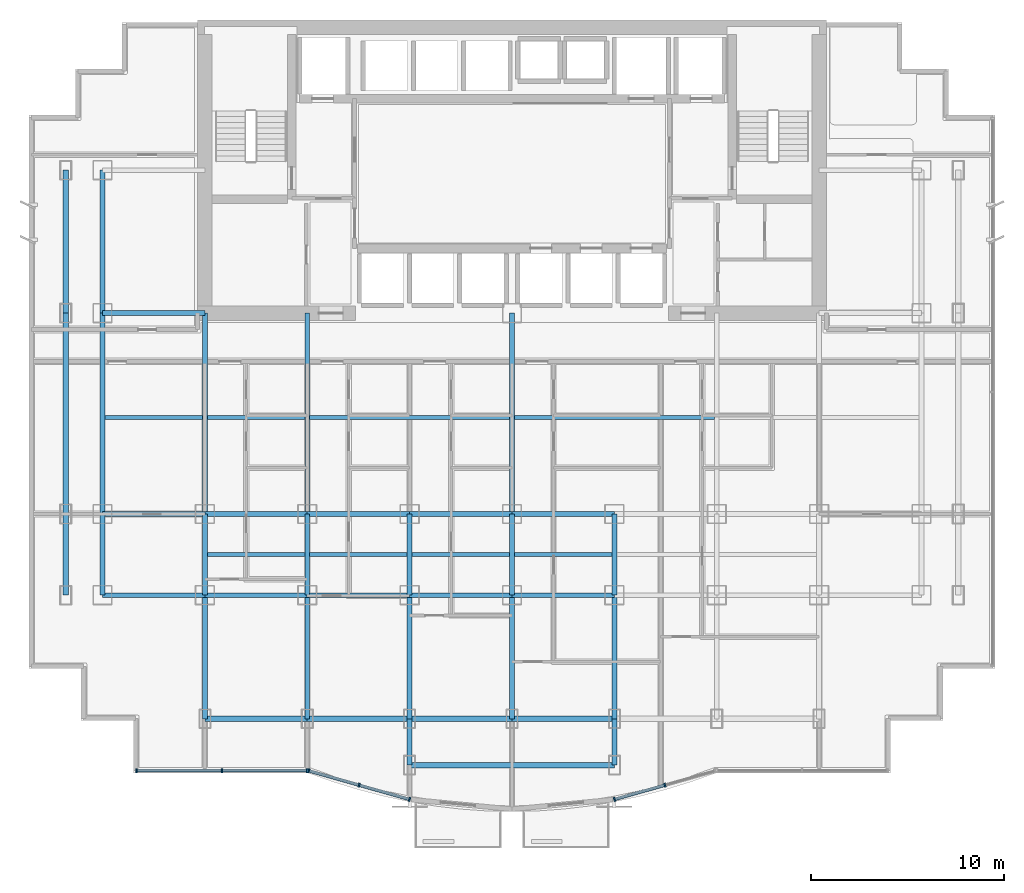
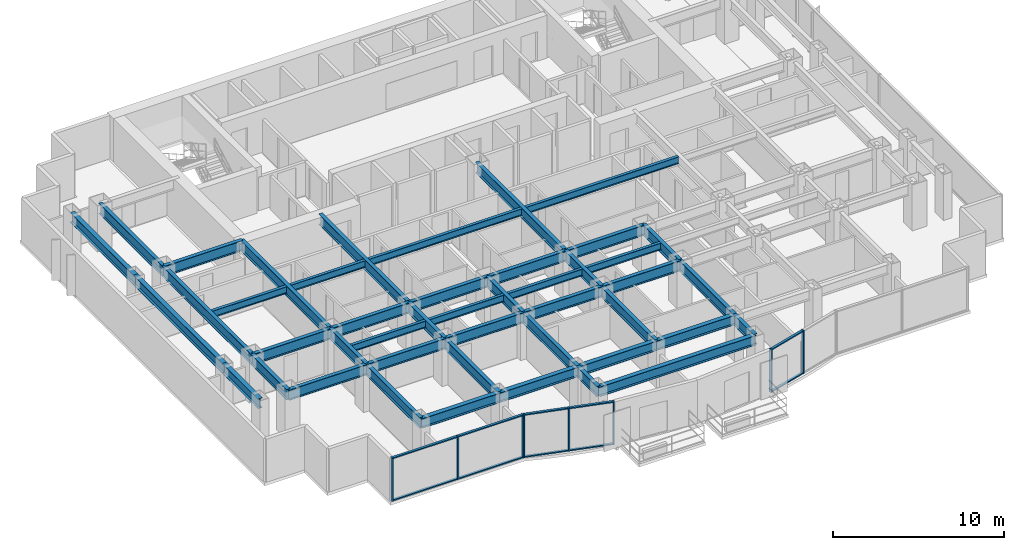
# One storey, part 2 of 12: 45 beams, 18 members, 3 elements without a shape of their own.
"""IFC4 building model written with IfcOpenShell, lengths in metres."""

from ifc_helpers import new_model, si_unit, direction, frame, origin, origin_2d, place, context, subcontext, project, spatial, rectangle, i_section, extrude, source, transform, mapped, material, layer, layer_set, material_profile, profile_set, type_object, element, aggregate, save


model = new_model("IFC4")

# Units and contexts
model_context = context("Model", 3, precision=1e-05, world=origin(), true_north=direction((0.0, 1.0)))
body_context = subcontext(model_context, "Body", "Model", "MODEL_VIEW")
ifc_project = project(units=[si_unit("LENGTHUNIT", "METRE"), si_unit("AREAUNIT", "SQUARE_METRE"), si_unit("VOLUMEUNIT", "CUBIC_METRE"), si_unit("PLANEANGLEUNIT", "RADIAN"), si_unit("MASSUNIT", "GRAM", prefix="KILO")], contexts=[model_context])

# Site, building, storey
site_placement = place(None, origin())
site = spatial("IfcSite", under=ifc_project, at=site_placement, CompositionType="ELEMENT")
building_placement = place(site_placement, origin())
building = spatial("IfcBuilding", under=site, at=building_placement, Name="Qianlan Lanfeng Residences", CompositionType="ELEMENT")
storey_placement = place(building_placement, frame((0.0, 0.0, 81.699951171875)))
storey = spatial("IfcBuildingStorey", under=building, at=storey_placement, Name="L21", CompositionType="ELEMENT", Elevation=81.699951171875)

# Beams
ifc_material_1 = material(Name="Steel SN490B", Category="steel")
ifc_material_profile_1 = material_profile(ifc_material_1, i_section(OverallWidth=0.25, OverallDepth=0.75, WebThickness=0.013916015625, FlangeThickness=0.02490234375, at=origin_2d()), Name="H 750x250x14x25")
ifc_profile_set_1 = profile_set([ifc_material_profile_1], Name="Steel SN490B")
beam_type_1 = type_object("IfcBeamType", Name="G-850", PredefinedType="BEAM", material=ifc_profile_set_1)
beam_1_placement = place(storey_placement, frame((5.300048828125, 10.60009765625, 2.715087890625), z_axis=(1.0, 0.0, 0.0), x_axis=(0.0, 1.0, 0.0)))
element("IfcBeam", 1, at=beam_1_placement, inside=storey, type_object=beam_type_1, Name="Structural beam G-850", PredefinedType="BEAM", context=body_context, shape_type="SweptSolid", body=[
    extrude(i_section(OverallWidth=0.25, OverallDepth=0.75, WebThickness=0.013916015625, FlangeThickness=0.02490234375, at=origin_2d()), origin(), (0.0, 0.0, 1.0), 5.300048828125),
])
beam_2_placement = place(storey_placement, frame((10.60009765625, 10.60009765625, 2.715087890625), z_axis=(1.0, 0.0, 0.0), x_axis=(0.0, 1.0, 0.0)))
element("IfcBeam", 2, at=beam_2_placement, inside=storey, type_object=beam_type_1, Name="Structural beam G-850", PredefinedType="BEAM", context=body_context, shape_type="SweptSolid", body=[
    extrude(i_section(OverallWidth=0.25, OverallDepth=0.75, WebThickness=0.013916015625, FlangeThickness=0.02490234375, at=origin_2d()), origin(), (0.0, 0.0, 1.0), 5.2998046875),
])
for number, where, z_axis, x_axis, name in (
    (3, (15.89990234375, 10.60009765625, 2.715087890625), (1.0, 0.0, 0.0), (0.0, 1.0, 0.0), "Structural beam G-850"),
    (4, (21.199951171875, 10.60009765625, 2.715087890625), (1.0, 0.0, 0.0), (0.0, 1.0, 0.0), "Structural beam G-850"),
    (5, (26.5, 10.60009765625, 2.715087890625), (1.0, 0.0, 0.0), (0.0, 1.0, 0.0), "Structural beam G-850"),
    (6, (5.300048828125, 14.800048828125, 2.715087890625), (1.0, 0.0, 0.0), (0.0, 1.0, 0.0), "Structural beam G-850"),
):
    element("IfcBeam", number, at=place(storey_placement, frame(where, z_axis=z_axis, x_axis=x_axis)), inside=storey, type_object=beam_type_1, Name=name, PredefinedType="BEAM", context=body_context, shape_type="SweptSolid", body=[
        extrude(i_section(OverallWidth=0.25, OverallDepth=0.75, WebThickness=0.013916015625, FlangeThickness=0.02490234375, at=origin_2d()), origin(), (0.0, 0.0, 1.0), 5.300048828125),
    ])
beam_3_placement = place(storey_placement, frame((10.60009765625, 14.800048828125, 2.715087890625), z_axis=(1.0, 0.0, 0.0), x_axis=(0.0, 1.0, 0.0)))
element("IfcBeam", 7, at=beam_3_placement, inside=storey, type_object=beam_type_1, Name="Structural beam G-850", PredefinedType="BEAM", context=body_context, shape_type="SweptSolid", body=[
    extrude(i_section(OverallWidth=0.25, OverallDepth=0.75, WebThickness=0.013916015625, FlangeThickness=0.02490234375, at=origin_2d()), origin(), (0.0, 0.0, 1.0), 5.2998046875),
])
for number, where, z_axis, x_axis, name in (
    (8, (15.89990234375, 14.800048828125, 2.715087890625), (1.0, 0.0, 0.0), (0.0, 1.0, 0.0), "Structural beam G-850"),
    (9, (21.199951171875, 14.800048828125, 2.715087890625), (1.0, 0.0, 0.0), (0.0, 1.0, 0.0), "Structural beam G-850"),
    (10, (26.5, 14.800048828125, 2.715087890625), (1.0, 0.0, 0.0), (0.0, 1.0, 0.0), "Structural beam G-850"),
    (11, (5.300048828125, 25.199951171875, 2.715087890625), (1.0, 0.0, 0.0), (0.0, 1.0, 0.0), "Structural beam G-850"),
):
    element("IfcBeam", number, at=place(storey_placement, frame(where, z_axis=z_axis, x_axis=x_axis)), inside=storey, type_object=beam_type_1, Name=name, PredefinedType="BEAM", context=body_context, shape_type="SweptSolid", body=[
        extrude(i_section(OverallWidth=0.25, OverallDepth=0.75, WebThickness=0.013916015625, FlangeThickness=0.02490234375, at=origin_2d()), origin(), (0.0, 0.0, 1.0), 5.300048828125),
    ])
beam_4_placement = place(storey_placement, frame((5.300048828125, 10.60009765625, 2.715087890625), z_axis=(0.0, 1.0, 0.0), x_axis=(-1.0, 0.0, 0.0)))
element("IfcBeam", 12, at=beam_4_placement, inside=storey, type_object=beam_type_1, Name="Structural beam G-850", PredefinedType="BEAM", context=body_context, shape_type="SweptSolid", body=[
    extrude(i_section(OverallWidth=0.25, OverallDepth=0.75, WebThickness=0.013916015625, FlangeThickness=0.02490234375, at=origin_2d()), origin(), (0.0, 0.0, 1.0), 4.199951171875),
])
beam_5_placement = place(storey_placement, frame((5.300048828125, 14.800048828125, 2.715087890625), z_axis=(0.0, 1.0, 0.0), x_axis=(-1.0, 0.0, 0.0)))
element("IfcBeam", 13, at=beam_5_placement, inside=storey, type_object=beam_type_1, Name="Structural beam G-850", PredefinedType="BEAM", context=body_context, shape_type="SweptSolid", body=[
    extrude(i_section(OverallWidth=0.25, OverallDepth=0.75, WebThickness=0.013916015625, FlangeThickness=0.02490234375, at=origin_2d()), origin(), (0.0, 0.0, 1.0), 10.39990234375),
])
beam_6_placement = place(storey_placement, frame((5.300048828125, 25.199951171875, 2.715087890625), z_axis=(0.0, 1.0, 0.0), x_axis=(-1.0, 0.0, 0.0)))
element("IfcBeam", 14, at=beam_6_placement, inside=storey, type_object=beam_type_1, Name="Structural beam G-850", PredefinedType="BEAM", context=body_context, shape_type="SweptSolid", body=[
    extrude(i_section(OverallWidth=0.25, OverallDepth=0.75, WebThickness=0.013916015625, FlangeThickness=0.02490234375, at=origin_2d()), origin(), (0.0, 0.0, 1.0), 7.400146484375),
])
beam_7_placement = place(storey_placement, frame((10.60009765625, 4.199951171875, 2.715087890625), z_axis=(0.0, 1.0, 0.0), x_axis=(-1.0, 0.0, 0.0)))
element("IfcBeam", 15, at=beam_7_placement, inside=storey, type_object=beam_type_1, Name="Structural beam G-850", PredefinedType="BEAM", context=body_context, shape_type="SweptSolid", body=[
    extrude(i_section(OverallWidth=0.25, OverallDepth=0.75, WebThickness=0.013916015625, FlangeThickness=0.02490234375, at=origin_2d()), origin(), (0.0, 0.0, 1.0), 6.400146484375),
])
beam_8_placement = place(storey_placement, frame((10.60009765625, 10.60009765625, 2.715087890625), z_axis=(0.0, 1.0, 0.0), x_axis=(-1.0, 0.0, 0.0)))
element("IfcBeam", 16, at=beam_8_placement, inside=storey, type_object=beam_type_1, Name="Structural beam G-850", PredefinedType="BEAM", context=body_context, shape_type="SweptSolid", body=[
    extrude(i_section(OverallWidth=0.25, OverallDepth=0.75, WebThickness=0.013916015625, FlangeThickness=0.02490234375, at=origin_2d()), origin(), (0.0, 0.0, 1.0), 4.199951171875),
])
beam_9_placement = place(storey_placement, frame((10.60009765625, 14.800048828125, 2.715087890625), z_axis=(0.0, 1.0, 0.0), x_axis=(-1.0, 0.0, 0.0)))
element("IfcBeam", 17, at=beam_9_placement, inside=storey, type_object=beam_type_1, Name="Structural beam G-850", PredefinedType="BEAM", context=body_context, shape_type="SweptSolid", body=[
    extrude(i_section(OverallWidth=0.25, OverallDepth=0.75, WebThickness=0.013916015625, FlangeThickness=0.02490234375, at=origin_2d()), origin(), (0.0, 0.0, 1.0), 10.39990234375),
])
beam_10_placement = place(storey_placement, frame((15.89990234375, 4.199951171875, 2.715087890625), z_axis=(0.0, 1.0, 0.0), x_axis=(-1.0, 0.0, 0.0)))
element("IfcBeam", 18, at=beam_10_placement, inside=storey, type_object=beam_type_1, Name="Structural beam G-850", PredefinedType="BEAM", context=body_context, shape_type="SweptSolid", body=[
    extrude(i_section(OverallWidth=0.25, OverallDepth=0.75, WebThickness=0.013916015625, FlangeThickness=0.02490234375, at=origin_2d()), origin(), (0.0, 0.0, 1.0), 6.400146484375),
])
beam_11_placement = place(storey_placement, frame((15.89990234375, 10.60009765625, 2.715087890625), z_axis=(0.0, 1.0, 0.0), x_axis=(-1.0, 0.0, 0.0)))
element("IfcBeam", 19, at=beam_11_placement, inside=storey, type_object=beam_type_1, Name="Structural beam G-850", PredefinedType="BEAM", context=body_context, shape_type="SweptSolid", body=[
    extrude(i_section(OverallWidth=0.25, OverallDepth=0.75, WebThickness=0.013916015625, FlangeThickness=0.02490234375, at=origin_2d()), origin(), (0.0, 0.0, 1.0), 4.199951171875),
])
beam_12_placement = place(storey_placement, frame((15.89990234375, 14.800048828125, 2.715087890625), z_axis=(0.0, 1.0, 0.0), x_axis=(-1.0, 0.0, 0.0)))
element("IfcBeam", 20, at=beam_12_placement, inside=storey, type_object=beam_type_1, Name="Structural beam G-850", PredefinedType="BEAM", context=body_context, shape_type="SweptSolid", body=[
    extrude(i_section(OverallWidth=0.25, OverallDepth=0.75, WebThickness=0.013916015625, FlangeThickness=0.02490234375, at=origin_2d()), origin(), (0.0, 0.0, 1.0), 10.39990234375),
])
beam_13_placement = place(storey_placement, frame((21.199951171875, 1.800048828125, 2.715087890625), z_axis=(0.0, 1.0, 0.0), x_axis=(-1.0, 0.0, 0.0)))
element("IfcBeam", 21, at=beam_13_placement, inside=storey, type_object=beam_type_1, Name="Structural beam G-850", PredefinedType="BEAM", context=body_context, shape_type="SweptSolid", body=[
    extrude(i_section(OverallWidth=0.25, OverallDepth=0.75, WebThickness=0.013916015625, FlangeThickness=0.02490234375, at=origin_2d()), origin(), (0.0, 0.0, 1.0), 2.39990234375),
])
beam_14_placement = place(storey_placement, frame((21.199951171875, 4.199951171875, 2.715087890625), z_axis=(0.0, 1.0, 0.0), x_axis=(-1.0, 0.0, 0.0)))
element("IfcBeam", 22, at=beam_14_placement, inside=storey, type_object=beam_type_1, Name="Structural beam G-850", PredefinedType="BEAM", context=body_context, shape_type="SweptSolid", body=[
    extrude(i_section(OverallWidth=0.25, OverallDepth=0.75, WebThickness=0.013916015625, FlangeThickness=0.02490234375, at=origin_2d()), origin(), (0.0, 0.0, 1.0), 6.400146484375),
])
beam_15_placement = place(storey_placement, frame((21.199951171875, 10.60009765625, 2.715087890625), z_axis=(0.0, 1.0, 0.0), x_axis=(-1.0, 0.0, 0.0)))
element("IfcBeam", 23, at=beam_15_placement, inside=storey, type_object=beam_type_1, Name="Structural beam G-850", PredefinedType="BEAM", context=body_context, shape_type="SweptSolid", body=[
    extrude(i_section(OverallWidth=0.25, OverallDepth=0.75, WebThickness=0.013916015625, FlangeThickness=0.02490234375, at=origin_2d()), origin(), (0.0, 0.0, 1.0), 4.199951171875),
])
beam_16_placement = place(storey_placement, frame((26.5, 4.199951171875, 2.715087890625), z_axis=(0.0, 1.0, 0.0), x_axis=(-1.0, 0.0, 0.0)))
element("IfcBeam", 24, at=beam_16_placement, inside=storey, type_object=beam_type_1, Name="Structural beam G-850", PredefinedType="BEAM", context=body_context, shape_type="SweptSolid", body=[
    extrude(i_section(OverallWidth=0.25, OverallDepth=0.75, WebThickness=0.013916015625, FlangeThickness=0.02490234375, at=origin_2d()), origin(), (0.0, 0.0, 1.0), 6.400146484375),
])
beam_17_placement = place(storey_placement, frame((26.5, 10.60009765625, 2.715087890625), z_axis=(0.0, 1.0, 0.0), x_axis=(-1.0, 0.0, 0.0)))
element("IfcBeam", 25, at=beam_17_placement, inside=storey, type_object=beam_type_1, Name="Structural beam G-850", PredefinedType="BEAM", context=body_context, shape_type="SweptSolid", body=[
    extrude(i_section(OverallWidth=0.25, OverallDepth=0.75, WebThickness=0.013916015625, FlangeThickness=0.02490234375, at=origin_2d()), origin(), (0.0, 0.0, 1.0), 4.199951171875),
])
beam_18_placement = place(storey_placement, frame((26.5, 14.800048828125, 2.715087890625), z_axis=(0.0, 1.0, 0.0), x_axis=(-1.0, 0.0, 0.0)))
element("IfcBeam", 26, at=beam_18_placement, inside=storey, type_object=beam_type_1, Name="Structural beam G-850", PredefinedType="BEAM", context=body_context, shape_type="SweptSolid", body=[
    extrude(i_section(OverallWidth=0.25, OverallDepth=0.75, WebThickness=0.013916015625, FlangeThickness=0.02490234375, at=origin_2d()), origin(), (0.0, 0.0, 1.0), 10.39990234375),
])
beam_19_placement = place(storey_placement, frame((31.800048828125, 1.800048828125, 2.715087890625), z_axis=(0.0, 1.0, 0.0), x_axis=(-1.0, 0.0, 0.0)))
element("IfcBeam", 27, at=beam_19_placement, inside=storey, type_object=beam_type_1, Name="Structural beam G-850", PredefinedType="BEAM", context=body_context, shape_type="SweptSolid", body=[
    extrude(i_section(OverallWidth=0.25, OverallDepth=0.75, WebThickness=0.013916015625, FlangeThickness=0.02490234375, at=origin_2d()), origin(), (0.0, 0.0, 1.0), 2.39990234375),
])
beam_20_placement = place(storey_placement, frame((31.800048828125, 4.199951171875, 2.715087890625), z_axis=(0.0, 1.0, 0.0), x_axis=(-1.0, 0.0, 0.0)))
element("IfcBeam", 28, at=beam_20_placement, inside=storey, type_object=beam_type_1, Name="Structural beam G-850", PredefinedType="BEAM", context=body_context, shape_type="SweptSolid", body=[
    extrude(i_section(OverallWidth=0.25, OverallDepth=0.75, WebThickness=0.013916015625, FlangeThickness=0.02490234375, at=origin_2d()), origin(), (0.0, 0.0, 1.0), 6.400146484375),
])
beam_21_placement = place(storey_placement, frame((31.800048828125, 10.60009765625, 2.715087890625), z_axis=(0.0, 1.0, 0.0), x_axis=(-1.0, 0.0, 0.0)))
element("IfcBeam", 29, at=beam_21_placement, inside=storey, type_object=beam_type_1, Name="Structural beam G-850", PredefinedType="BEAM", context=body_context, shape_type="SweptSolid", body=[
    extrude(i_section(OverallWidth=0.25, OverallDepth=0.75, WebThickness=0.013916015625, FlangeThickness=0.02490234375, at=origin_2d()), origin(), (0.0, 0.0, 1.0), 4.199951171875),
])
ifc_material_profile_2 = material_profile(ifc_material_1, i_section(OverallWidth=0.199951171875, OverallDepth=0.5, WebThickness=0.010009765625, FlangeThickness=0.01611328125, at=origin_2d()), Name="H 500x200x10x16")
ifc_profile_set_2 = profile_set([ifc_material_profile_2], Name="Steel SN490B")
beam_type_2 = type_object("IfcBeamType", Name="J-500", PredefinedType="JOIST", material=ifc_profile_set_2)
beam_22_placement = place(storey_placement, frame((10.72509765625, 12.699951171875, 2.840087890625), z_axis=(1.0, 0.0, 0.0), x_axis=(0.0, 1.0, 0.0)))
element("IfcBeam", 30, at=beam_22_placement, inside=storey, type_object=beam_type_2, Name="Structural beam J-500", PredefinedType="JOIST", context=body_context, shape_type="SweptSolid", body=[
    extrude(i_section(OverallWidth=0.199951171875, OverallDepth=0.5, WebThickness=0.010009765625, FlangeThickness=0.01611328125, at=origin_2d()), origin(), (0.0, 0.0, 1.0), 5.0498046875),
])
for number, where, z_axis, x_axis, name in (
    (31, (16.02490234375, 12.699951171875, 2.840087890625), (1.0, 0.0, 0.0), (0.0, 1.0, 0.0), "Structural beam J-500"),
    (32, (21.324951171875, 12.699951171875, 2.840087890625), (1.0, 0.0, 0.0), (0.0, 1.0, 0.0), "Structural beam J-500"),
    (33, (26.625, 12.699951171875, 2.840087890625), (1.0, 0.0, 0.0), (0.0, 1.0, 0.0), "Structural beam J-500"),
    (34, (5.425048828125, 19.800048828125, 2.840087890625), (1.0, 0.0, 0.0), (0.0, 1.0, 0.0), "Structural beam J-500"),
):
    element("IfcBeam", number, at=place(storey_placement, frame(where, z_axis=z_axis, x_axis=x_axis)), inside=storey, type_object=beam_type_2, Name=name, PredefinedType="JOIST", context=body_context, shape_type="SweptSolid", body=[
        extrude(i_section(OverallWidth=0.199951171875, OverallDepth=0.5, WebThickness=0.010009765625, FlangeThickness=0.01611328125, at=origin_2d()), origin(), (0.0, 0.0, 1.0), 5.050048828125),
    ])
beam_23_placement = place(storey_placement, frame((10.72509765625, 19.800048828125, 2.840087890625), z_axis=(1.0, 0.0, 0.0), x_axis=(0.0, 1.0, 0.0)))
element("IfcBeam", 35, at=beam_23_placement, inside=storey, type_object=beam_type_2, Name="Structural beam J-500", PredefinedType="JOIST", context=body_context, shape_type="SweptSolid", body=[
    extrude(i_section(OverallWidth=0.199951171875, OverallDepth=0.5, WebThickness=0.010009765625, FlangeThickness=0.01611328125, at=origin_2d()), origin(), (0.0, 0.0, 1.0), 5.0498046875),
])
for number, where, z_axis, x_axis, name in (
    (36, (16.02490234375, 19.800048828125, 2.840087890625), (1.0, 0.0, 0.0), (0.0, 1.0, 0.0), "Structural beam J-500"),
    (37, (26.625, 19.800048828125, 2.840087890625), (1.0, 0.0, 0.0), (0.0, 1.0, 0.0), "Structural beam J-500"),
):
    element("IfcBeam", number, at=place(storey_placement, frame(where, z_axis=z_axis, x_axis=x_axis)), inside=storey, type_object=beam_type_2, Name=name, PredefinedType="JOIST", context=body_context, shape_type="SweptSolid", body=[
        extrude(i_section(OverallWidth=0.199951171875, OverallDepth=0.5, WebThickness=0.010009765625, FlangeThickness=0.01611328125, at=origin_2d()), origin(), (0.0, 0.0, 1.0), 10.35009765625),
    ])
ifc_material_profile_3 = material_profile(ifc_material_1, i_section(OverallWidth=0.300048828125, OverallDepth=0.699951171875, WebThickness=0.012939453125, FlangeThickness=0.02392578125, at=origin_2d()), Name="H 700x300x13x24")
ifc_profile_set_3 = profile_set([ifc_material_profile_3], Name="Steel SN490B")
beam_type_3 = type_object("IfcBeamType", Name="SG-750", PredefinedType="SPANDREL", material=ifc_profile_set_3)
beam_24_placement = place(storey_placement, frame((21.199951171875, 1.800048828125, 2.739990234375), z_axis=(1.0, 0.0, 0.0), x_axis=(0.0, 1.0, 0.0)))
element("IfcBeam", 38, at=beam_24_placement, inside=storey, type_object=beam_type_3, Name="Structural beam SG-750", PredefinedType="SPANDREL", context=body_context, shape_type="SweptSolid", body=[
    extrude(i_section(OverallWidth=0.300048828125, OverallDepth=0.699951171875, WebThickness=0.012939453125, FlangeThickness=0.02392578125, at=origin_2d()), origin(), (0.0, 0.0, 1.0), 10.60009765625),
])
beam_25_placement = place(storey_placement, frame((10.60009765625, 4.199951171875, 2.739990234375), z_axis=(1.0, 0.0, 0.0), x_axis=(0.0, 1.0, 0.0)))
element("IfcBeam", 39, at=beam_25_placement, inside=storey, type_object=beam_type_3, Name="Structural beam SG-750", PredefinedType="SPANDREL", context=body_context, shape_type="SweptSolid", body=[
    extrude(i_section(OverallWidth=0.300048828125, OverallDepth=0.699951171875, WebThickness=0.012939453125, FlangeThickness=0.02392578125, at=origin_2d()), origin(), (0.0, 0.0, 1.0), 5.2998046875),
])
for number, where, z_axis, x_axis, name in (
    (40, (15.89990234375, 4.199951171875, 2.739990234375), (1.0, 0.0, 0.0), (0.0, 1.0, 0.0), "Structural beam SG-750"),
    (41, (21.199951171875, 4.199951171875, 2.739990234375), (1.0, 0.0, 0.0), (0.0, 1.0, 0.0), "Structural beam SG-750"),
    (42, (26.5, 4.199951171875, 2.739990234375), (1.0, 0.0, 0.0), (0.0, 1.0, 0.0), "Structural beam SG-750"),
):
    element("IfcBeam", number, at=place(storey_placement, frame(where, z_axis=z_axis, x_axis=x_axis)), inside=storey, type_object=beam_type_3, Name=name, PredefinedType="SPANDREL", context=body_context, shape_type="SweptSolid", body=[
        extrude(i_section(OverallWidth=0.300048828125, OverallDepth=0.699951171875, WebThickness=0.012939453125, FlangeThickness=0.02392578125, at=origin_2d()), origin(), (0.0, 0.0, 1.0), 5.300048828125),
    ])
beam_26_placement = place(storey_placement, frame((3.39990234375, 10.60009765625, 2.739990234375), z_axis=(0.0, 1.0, 0.0), x_axis=(-1.0, 0.0, 0.0)))
element("IfcBeam", 43, at=beam_26_placement, inside=storey, type_object=beam_type_3, Name="Structural beam SG-750", PredefinedType="SPANDREL", context=body_context, shape_type="SweptSolid", body=[
    extrude(i_section(OverallWidth=0.300048828125, OverallDepth=0.699951171875, WebThickness=0.012939453125, FlangeThickness=0.02392578125, at=origin_2d()), origin(), (0.0, 0.0, 1.0), 4.199951171875),
])
beam_27_placement = place(storey_placement, frame((3.39990234375, 14.800048828125, 2.739990234375), z_axis=(0.0, 1.0, 0.0), x_axis=(-1.0, 0.0, 0.0)))
element("IfcBeam", 44, at=beam_27_placement, inside=storey, type_object=beam_type_3, Name="Structural beam SG-750", PredefinedType="SPANDREL", context=body_context, shape_type="SweptSolid", body=[
    extrude(i_section(OverallWidth=0.300048828125, OverallDepth=0.699951171875, WebThickness=0.012939453125, FlangeThickness=0.02392578125, at=origin_2d()), origin(), (0.0, 0.0, 1.0), 10.39990234375),
])
beam_28_placement = place(storey_placement, frame((3.39990234375, 25.199951171875, 2.739990234375), z_axis=(0.0, 1.0, 0.0), x_axis=(-1.0, 0.0, 0.0)))
element("IfcBeam", 45, at=beam_28_placement, inside=storey, type_object=beam_type_3, Name="Structural beam SG-750", PredefinedType="SPANDREL", context=body_context, shape_type="SweptSolid", body=[
    extrude(i_section(OverallWidth=0.300048828125, OverallDepth=0.699951171875, WebThickness=0.012939453125, FlangeThickness=0.02392578125, at=origin_2d()), origin(), (0.0, 0.0, 1.0), 7.400146484375),
])

# Curtain wall, members
ifc_material_2 = material(Name="Anodised Bronze Aluminium 6063-T6", Category="aluminium")
ifc_layer = layer(ifc_material_2, 0.219970703125)
ifc_layer_set = layer_set([ifc_layer], Name="Anodised Bronze Aluminium 6063-T6")
curtain_wall_type = type_object("IfcCurtainWallType", Name="CW-03", PredefinedType="NOTDEFINED", material=ifc_layer_set)
curtain_wall_1_placement = place(storey_placement, origin())
curtain_wall_1 = element("IfcCurtainWall", 46, at=curtain_wall_1_placement, inside=storey, type_object=curtain_wall_type, Name="L21 Unitised Curtain Wall CWR-L21-01 (CW-03)", PredefinedType="NOTDEFINED")
ifc_material_profile_4 = material_profile(ifc_material_2, rectangle(XDim=0.080078125, YDim=0.159912109375, at=origin_2d()), Name="ALU TRANSOM 80x160")
ifc_profile_set_4 = profile_set([ifc_material_profile_4], Name="Anodised Bronze Aluminium 6063-T6")
member_type_1 = type_object("IfcMemberType", Name="CWT-180", PredefinedType="USERDEFINED", material=ifc_profile_set_4)
shared_shape_1 = source(origin(), body_context, "Body", "SweptSolid", [
    extrude(rectangle(XDim=0.080078125, YDim=0.159912109375, at=origin_2d()), origin(), (0.0, 0.0, 1.0), 4.34033203125),
])
member_1_placement = place(storey_placement, frame((7.10009765625, 1.52001953125, 0.0400390625), z_axis=(1.0, 0.0, 0.0), x_axis=(0.0, 0.0, 1.0)))
member_1 = element("IfcMember", 47, at=member_1_placement, type_object=member_type_1, Name="CWR-L21-01 Transom 1-BOT", ObjectType="TRANSOM", PredefinedType="USERDEFINED", context=body_context, shape_type="MappedRepresentation", body=[
    mapped(shared_shape_1, transform((0.0, 0.0, 0.0), scale=1.0)),
])
member_2_placement = place(storey_placement, frame((7.10009765625, 1.52001953125, 3.050048828125), z_axis=(1.0, 0.0, 0.0), x_axis=(0.0, 0.0, 1.0)))
member_2 = element("IfcMember", 48, at=member_2_placement, type_object=member_type_1, Name="CWR-L21-01 Transom 1-TOP", ObjectType="TRANSOM", PredefinedType="USERDEFINED", context=body_context, shape_type="MappedRepresentation", body=[
    mapped(shared_shape_1, transform((0.0, 0.0, 0.0), scale=1.0)),
])
shared_shape_2 = source(origin(), body_context, "Body", "SweptSolid", [
    extrude(rectangle(XDim=0.080078125, YDim=0.159912109375, at=origin_2d()), origin(), (0.0, 0.0, 1.0), 4.340576171875),
])
member_3_placement = place(storey_placement, frame((11.5205078125, 1.52001953125, 0.0400390625), z_axis=(1.0, 0.0, 0.0), x_axis=(0.0, 0.0, 1.0)))
member_3 = element("IfcMember", 49, at=member_3_placement, type_object=member_type_1, Name="CWR-L21-01 Transom 2-BOT", ObjectType="TRANSOM", PredefinedType="USERDEFINED", context=body_context, shape_type="MappedRepresentation", body=[
    mapped(shared_shape_2, transform((0.0, 0.0, 0.0), scale=1.0)),
])
member_4_placement = place(storey_placement, frame((11.5205078125, 1.52001953125, 3.050048828125), z_axis=(1.0, 0.0, 0.0), x_axis=(0.0, 0.0, 1.0)))
member_4 = element("IfcMember", 50, at=member_4_placement, type_object=member_type_1, Name="CWR-L21-01 Transom 2-TOP", ObjectType="TRANSOM", PredefinedType="USERDEFINED", context=body_context, shape_type="MappedRepresentation", body=[
    mapped(shared_shape_2, transform((0.0, 0.0, 0.0), scale=1.0)),
])

curtain_wall_2_placement = place(storey_placement, origin())
curtain_wall_2 = element("IfcCurtainWall", 51, at=curtain_wall_2_placement, inside=storey, type_object=curtain_wall_type, Name="L21 Unitised Curtain Wall CWR-L21-02 (CW-03)", PredefinedType="NOTDEFINED")
shared_shape_3 = source(origin(), body_context, "Body", "SweptSolid", [
    extrude(rectangle(XDim=0.080078125, YDim=0.159912109375, at=origin_2d()), origin(), (0.0, 0.0, 1.0), 2.630126953125),
])
member_5_placement = place(storey_placement, frame((16.01806640625, 1.498291015625, 0.0400390625), z_axis=(0.961960587005, -0.273188266675, 0.0), x_axis=(0.0, 0.0, 1.0)))
member_5 = element("IfcMember", 52, at=member_5_placement, type_object=member_type_1, Name="CWR-L21-02 Transom 1-BOT", ObjectType="TRANSOM", PredefinedType="USERDEFINED", context=body_context, shape_type="MappedRepresentation", body=[
    mapped(shared_shape_3, transform((0.0, 0.0, 0.0), scale=1.0)),
])
member_6_placement = place(storey_placement, frame((16.01806640625, 1.498291015625, 3.050048828125), z_axis=(0.961960587005, -0.273188266675, 0.0), x_axis=(0.0, 0.0, 1.0)))
member_6 = element("IfcMember", 53, at=member_6_placement, type_object=member_type_1, Name="CWR-L21-02 Transom 1-TOP", ObjectType="TRANSOM", PredefinedType="USERDEFINED", context=body_context, shape_type="MappedRepresentation", body=[
    mapped(shared_shape_3, transform((0.0, 0.0, 0.0), scale=1.0)),
])
member_7_placement = place(storey_placement, frame((18.625, 0.758056640625, 0.0400390625), z_axis=(0.961984978242, -0.273102364758, 0.0), x_axis=(0.0, 0.0, 1.0)))
member_7 = element("IfcMember", 54, at=member_7_placement, type_object=member_type_1, Name="CWR-L21-02 Transom 2-BOT", ObjectType="TRANSOM", PredefinedType="USERDEFINED", context=body_context, shape_type="MappedRepresentation", body=[
    mapped(shared_shape_3, transform((0.0, 0.0, 0.0), scale=1.0)),
])
member_8_placement = place(storey_placement, frame((18.625, 0.758056640625, 3.050048828125), z_axis=(0.961984978242, -0.273102364758, 0.0), x_axis=(0.0, 0.0, 1.0)))
member_8 = element("IfcMember", 55, at=member_8_placement, type_object=member_type_1, Name="CWR-L21-02 Transom 2-TOP", ObjectType="TRANSOM", PredefinedType="USERDEFINED", context=body_context, shape_type="MappedRepresentation", body=[
    mapped(shared_shape_3, transform((0.0, 0.0, 0.0), scale=1.0)),
])

curtain_wall_3_placement = place(storey_placement, origin())
curtain_wall_3 = element("IfcCurtainWall", 56, at=curtain_wall_3_placement, inside=storey, type_object=curtain_wall_type, Name="L21 Unitised Curtain Wall CWR-L21-03 (CW-03)", PredefinedType="NOTDEFINED")
member_9_placement = place(storey_placement, frame((31.844970703125, 0.039794921875, 0.0400390625), z_axis=(0.961984978242, 0.273102364758, 0.0), x_axis=(0.0, 0.0, 1.0)))
member_9 = element("IfcMember", 57, at=member_9_placement, type_object=member_type_1, Name="CWR-L21-03 Transom 1-BOT", ObjectType="TRANSOM", PredefinedType="USERDEFINED", context=body_context, shape_type="MappedRepresentation", body=[
    mapped(shared_shape_3, transform((0.0, 0.0, 0.0), scale=1.0)),
])
member_10_placement = place(storey_placement, frame((31.844970703125, 0.039794921875, 3.050048828125), z_axis=(0.961984978242, 0.273102364758, 0.0), x_axis=(0.0, 0.0, 1.0)))
member_10 = element("IfcMember", 58, at=member_10_placement, type_object=member_type_1, Name="CWR-L21-03 Transom 1-TOP", ObjectType="TRANSOM", PredefinedType="USERDEFINED", context=body_context, shape_type="MappedRepresentation", body=[
    mapped(shared_shape_3, transform((0.0, 0.0, 0.0), scale=1.0)),
])

# Member
ifc_material_profile_5 = material_profile(ifc_material_2, rectangle(XDim=0.080078125, YDim=0.2099609375, at=origin_2d()), Name="ALU MULLION 80x210")
ifc_profile_set_5 = profile_set([ifc_material_profile_5], Name="Anodised Bronze Aluminium 6063-T6")
member_type_2 = type_object("IfcMemberType", Name="CWM-220", PredefinedType="MULLION", material=ifc_profile_set_5)
shared_shape_4 = source(origin(), body_context, "Body", "SweptSolid", [
    extrude(rectangle(XDim=0.080078125, YDim=0.2099609375, at=origin_2d()), origin(), (0.0, 0.0, 1.0), 3.090087890625),
])
member_11_placement = place(storey_placement, frame((7.06005859375, 1.52001953125, 0.0), z_axis=(0.0, 0.0, 1.0), x_axis=(1.0, 0.0, 0.0)))
member_11 = element("IfcMember", 59, at=member_11_placement, type_object=member_type_2, Name="CWR-L21-01 Mullion 1", PredefinedType="MULLION", context=body_context, shape_type="MappedRepresentation", body=[
    mapped(shared_shape_4, transform((0.0, 0.0, 0.0), scale=1.0)),
])

member_12_placement = place(storey_placement, frame((11.48046875, 1.52001953125, 0.0), z_axis=(0.0, 0.0, 1.0), x_axis=(1.0, 0.0, 0.0)))
member_12 = element("IfcMember", 60, at=member_12_placement, type_object=member_type_2, Name="CWR-L21-01 Mullion 2", PredefinedType="MULLION", context=body_context, shape_type="MappedRepresentation", body=[
    mapped(shared_shape_4, transform((0.0, 0.0, 0.0), scale=1.0)),
])

member_13_placement = place(storey_placement, frame((15.90087890625, 1.52001953125, 0.0), z_axis=(0.0, 0.0, 1.0), x_axis=(1.0, 0.0, 0.0)))
member_13 = element("IfcMember", 61, at=member_13_placement, type_object=member_type_2, Name="CWR-L21-01 Mullion 3", PredefinedType="MULLION", context=body_context, shape_type="MappedRepresentation", body=[
    mapped(shared_shape_4, transform((0.0, 0.0, 0.0), scale=1.0)),
])

aggregate(curtain_wall_1, [member_11, member_12, member_13, member_1, member_2, member_3, member_4])

member_14_placement = place(storey_placement, frame((15.9794921875, 1.509033203125, 0.0), z_axis=(0.0, 0.0, 1.0), x_axis=(0.961989074302, -0.273087936247, 0.0)))
member_14 = element("IfcMember", 62, at=member_14_placement, type_object=member_type_2, Name="CWR-L21-02 Mullion 1", PredefinedType="MULLION", context=body_context, shape_type="MappedRepresentation", body=[
    mapped(shared_shape_4, transform((0.0, 0.0, 0.0), scale=1.0)),
])

member_15_placement = place(storey_placement, frame((18.58642578125, 0.76904296875, 0.0), z_axis=(0.0, 0.0, 1.0), x_axis=(0.961989074302, -0.273087936247, 0.0)))
member_15 = element("IfcMember", 63, at=member_15_placement, type_object=member_type_2, Name="CWR-L21-02 Mullion 2", PredefinedType="MULLION", context=body_context, shape_type="MappedRepresentation", body=[
    mapped(shared_shape_4, transform((0.0, 0.0, 0.0), scale=1.0)),
])

member_16_placement = place(storey_placement, frame((21.193603515625, 0.02880859375, 0.0), z_axis=(0.0, 0.0, 1.0), x_axis=(0.961989074302, -0.273087936247, 0.0)))
member_16 = element("IfcMember", 64, at=member_16_placement, type_object=member_type_2, Name="CWR-L21-02 Mullion 3", PredefinedType="MULLION", context=body_context, shape_type="MappedRepresentation", body=[
    mapped(shared_shape_4, transform((0.0, 0.0, 0.0), scale=1.0)),
])

aggregate(curtain_wall_2, [member_14, member_15, member_16, member_5, member_6, member_7, member_8])

member_17_placement = place(storey_placement, frame((31.806396484375, 0.02880859375, 0.0), z_axis=(0.0, 0.0, 1.0), x_axis=(0.961989074302, 0.273087936247, 0.0)))
member_17 = element("IfcMember", 65, at=member_17_placement, type_object=member_type_2, Name="CWR-L21-03 Mullion 1", PredefinedType="MULLION", context=body_context, shape_type="MappedRepresentation", body=[
    mapped(shared_shape_4, transform((0.0, 0.0, 0.0), scale=1.0)),
])

member_18_placement = place(storey_placement, frame((34.41357421875, 0.76904296875, 0.0), z_axis=(0.0, 0.0, 1.0), x_axis=(0.961989074302, 0.273087936247, 0.0)))
member_18 = element("IfcMember", 66, at=member_18_placement, type_object=member_type_2, Name="CWR-L21-03 Mullion 2", PredefinedType="MULLION", context=body_context, shape_type="MappedRepresentation", body=[
    mapped(shared_shape_4, transform((0.0, 0.0, 0.0), scale=1.0)),
])

aggregate(curtain_wall_3, [member_17, member_18, member_9, member_10])

save(model, "model.ifc")
